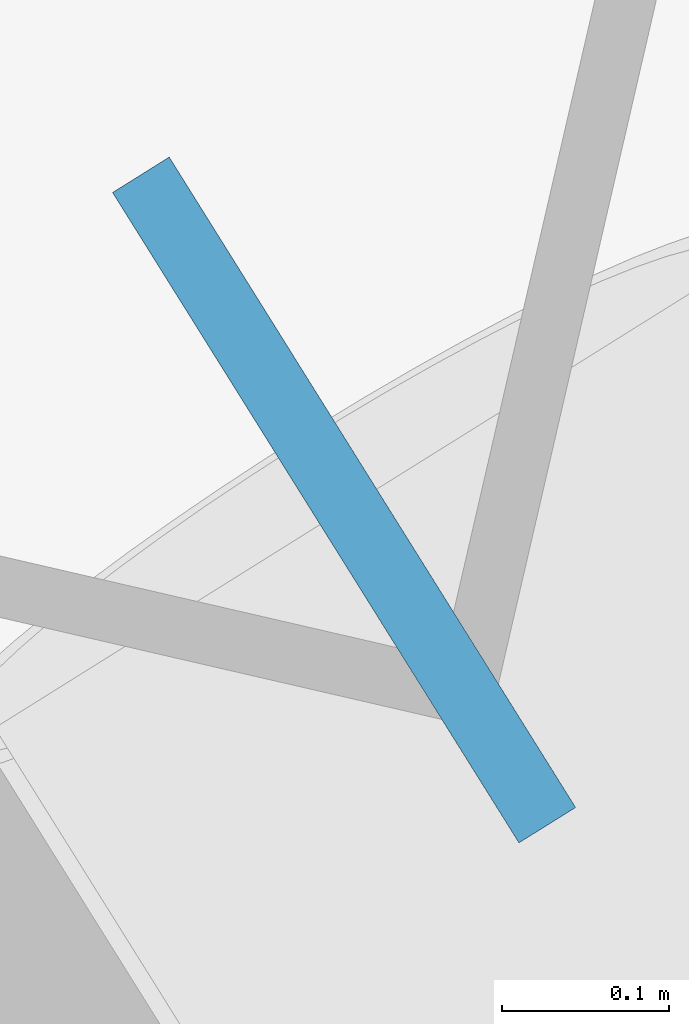
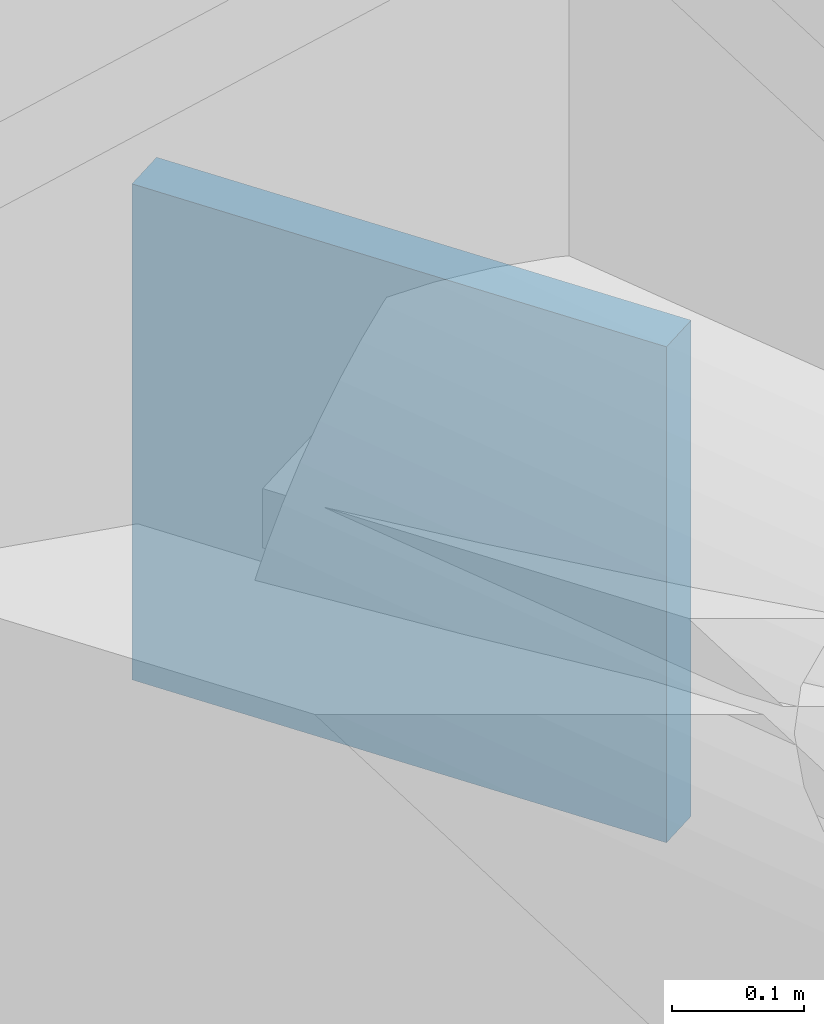
# One storey, part 18 of 19: 1 discrete accessory.
"""IFC4 building model written with IfcOpenShell, lengths in metres."""

from ifc_helpers import new_model, si_unit, direction, frame, origin, origin_2d, place, context, subcontext, project, spatial, rectangle, extrude, material, type_object, element, save


model = new_model("IFC4")

# Units and contexts
model_context = context("Model", 3, precision=1e-05, world=origin(), true_north=direction((0.0, 1.0)))
body_context = subcontext(model_context, "Body", "Model", "MODEL_VIEW")
ifc_project = project(units=[si_unit("LENGTHUNIT", "METRE"), si_unit("AREAUNIT", "SQUARE_METRE"), si_unit("VOLUMEUNIT", "CUBIC_METRE"), si_unit("PLANEANGLEUNIT", "RADIAN"), si_unit("MASSUNIT", "GRAM", prefix="KILO")], contexts=[model_context])

# Site, building, storey
site_placement = place(None, origin())
site = spatial("IfcSite", under=ifc_project, at=site_placement, CompositionType="ELEMENT")
building_placement = place(site_placement, origin())
building = spatial("IfcBuilding", under=site, at=building_placement, Name="Tavrogorsk Clinical Tower", CompositionType="ELEMENT")
storey_placement = place(building_placement, frame((0.0, 0.0, 79.39990234375)))
storey = spatial("IfcBuildingStorey", under=building, at=storey_placement, Name="L17", CompositionType="ELEMENT", Elevation=79.39990234375)

# Discrete accessory
ifc_material = material(Name="Structural steel S440", Category="steel")
discrete_accessory_type = type_object("IfcDiscreteAccessoryType", Name="GussetPlateBracket_25", PredefinedType="BRACKET", material=ifc_material)
discrete_accessory_placement = place(storey_placement, frame((36.6650390625, 14.464111328125, 1.13818359375), z_axis=(0.0, 0.0, 1.0), x_axis=(-0.529919264233, 0.848048096156, 0.0)))
element("IfcDiscreteAccessory", 1, at=discrete_accessory_placement, inside=storey, type_object=discrete_accessory_type, Name="L17 Brace Gusset Plate EXOCRN-L17-2-B", PredefinedType="BRACKET", context=body_context, shape_type="SweptSolid", body=[
    extrude(rectangle(XDim=0.4599609375, YDim=0.0400390625, at=origin_2d()), origin(), (0.0, 0.0, 1.0), 0.4599609375),
])

save(model, "model.ifc")
